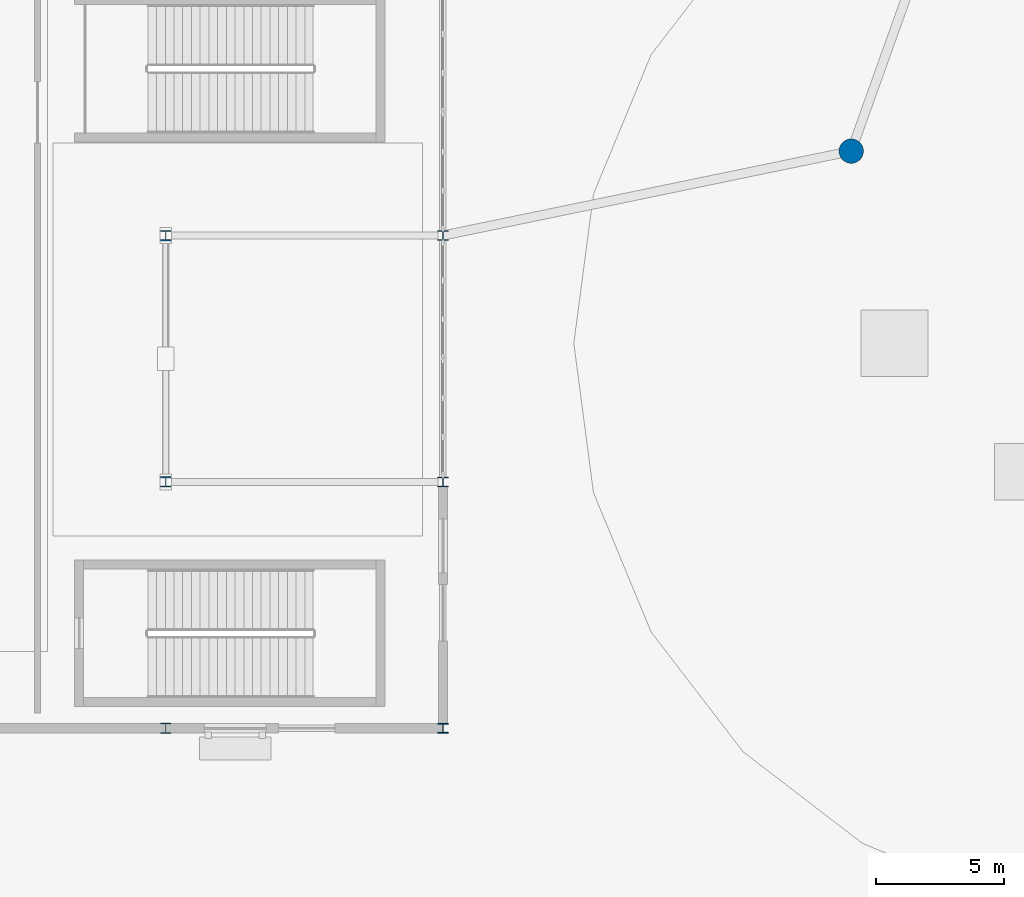
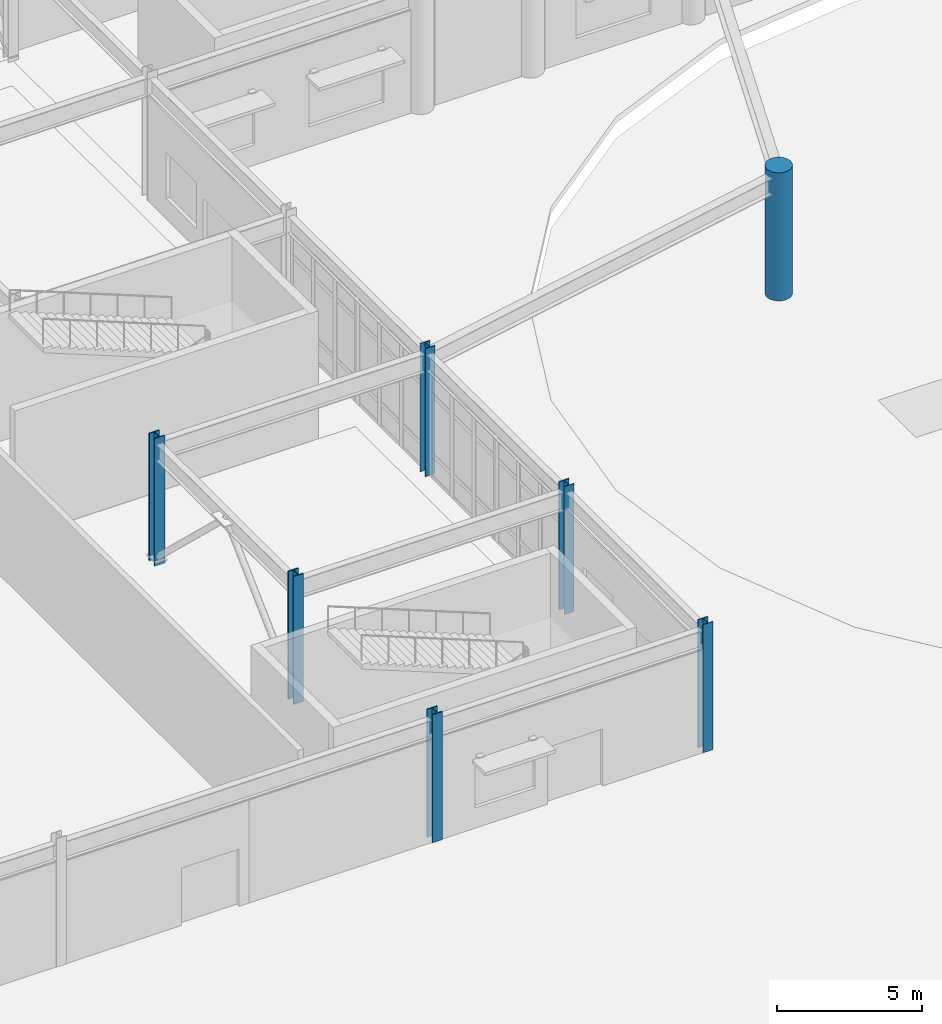
# One storey, part 4 of 54: 7 columns.
"""IFC4 building model written with IfcOpenShell, lengths in metres."""

from ifc_helpers import new_model, si_unit, direction, frame, origin, origin_2d, place, context, subcontext, project, spatial, circle, i_section, extrude, material, material_profile, profile_set, type_object, element, save


model = new_model("IFC4")

# Units and contexts
model_context = context("Model", 3, precision=1e-05, world=origin(), true_north=direction((0.0, 1.0)))
body_context = subcontext(model_context, "Body", "Model", "MODEL_VIEW")
ifc_project = project(units=[si_unit("LENGTHUNIT", "METRE"), si_unit("AREAUNIT", "SQUARE_METRE"), si_unit("VOLUMEUNIT", "CUBIC_METRE"), si_unit("PLANEANGLEUNIT", "RADIAN"), si_unit("MASSUNIT", "GRAM", prefix="KILO")], contexts=[model_context])

# Site, building, storey
site_placement = place(None, origin())
site = spatial("IfcSite", under=ifc_project, at=site_placement, CompositionType="ELEMENT")
building_placement = place(site_placement, origin())
building = spatial("IfcBuilding", under=site, at=building_placement, Name="Veldera Park Congress Hotel", CompositionType="ELEMENT")
storey_placement = place(building_placement, origin())
storey = spatial("IfcBuildingStorey", under=building, at=storey_placement, Name="L00", CompositionType="ELEMENT", Elevation=0.0)

# Columns
ifc_material_1 = material(Name="Concrete f'c 50 MPa (7,250 psi)", Category="concrete")
ifc_material_profile_1 = material_profile(ifc_material_1, circle(Radius=0.47509765625, at=origin_2d()), Name="RC D950")
ifc_profile_set_1 = profile_set([ifc_material_profile_1], Name="Concrete f'c 50 MPa (7,250 psi)")
column_type_1 = type_object("IfcColumnType", Name="COL-RCD90E", PredefinedType="COLUMN", material=ifc_profile_set_1)
column_1_placement = place(storey_placement, frame((14.309814453125, 1.489990234375, 0.0), z_axis=(0.0, 0.0, 1.0), x_axis=(1.0, 0.0, 0.0)))
element("IfcColumn", 1, at=column_1_placement, inside=storey, type_object=column_type_1, Name="L00 Column COL-RCD90E (14.3,1.5)", PredefinedType="COLUMN", context=body_context, shape_type="SweptSolid", body=[
    extrude(circle(Radius=0.47509765625, at=origin_2d()), origin(), (0.0, 0.0, 1.0), 5.39990234375),
])
ifc_material_2 = material(Name="Steel ASTM A992 Gr.50", Category="steel")
ifc_material_profile_2 = material_profile(ifc_material_2, i_section(OverallWidth=0.39599609375, OverallDepth=0.381103515625, WebThickness=0.018798828125, FlangeThickness=0.0302734375, at=origin_2d()), Name="W14X159")
ifc_profile_set_2 = profile_set([ifc_material_profile_2], Name="Steel ASTM A992 Gr.50")
column_type_2 = type_object("IfcColumnType", Name="COL-STL159", PredefinedType="COLUMN", material=ifc_profile_set_2)
for number, where, z_axis, x_axis, name in (
    (2, (-1.60009765625, -11.39990234375, 0.0), (0.0, 0.0, 1.0), (1.0, 0.0, 0.0), "L00 Column COL-STL159 (-1.6,-11.4)"),
    (3, (-1.60009765625, -1.800048828125, 0.0), (0.0, 0.0, 1.0), (1.0, 0.0, 0.0), "L00 Column COL-STL159 (-1.6,-1.8)"),
):
    element("IfcColumn", number, at=place(storey_placement, frame(where, z_axis=z_axis, x_axis=x_axis)), inside=storey, type_object=column_type_2, Name=name, PredefinedType="COLUMN", context=body_context, shape_type="SweptSolid", body=[
        extrude(i_section(OverallWidth=0.39599609375, OverallDepth=0.381103515625, WebThickness=0.018798828125, FlangeThickness=0.0302734375, at=origin_2d()), origin(), (0.0, 0.0, 1.0), 5.39990234375),
    ])
ifc_material_profile_3 = material_profile(ifc_material_2, i_section(OverallWidth=0.39599609375, OverallDepth=0.381103515625, WebThickness=0.018798828125, FlangeThickness=0.0302734375, at=origin_2d()), Name="W14X159")
ifc_profile_set_3 = profile_set([ifc_material_profile_3], Name="Steel ASTM A992 Gr.50")
column_type_3 = type_object("IfcColumnType", Name="COL-STL159E", PredefinedType="COLUMN", material=ifc_profile_set_3)
column_2_placement = place(storey_placement, frame((-1.60009765625, -21.0, 0.0), z_axis=(0.0, 0.0, 1.0), x_axis=(1.0, 0.0, 0.0)))
element("IfcColumn", 4, at=column_2_placement, inside=storey, type_object=column_type_3, Name="L00 Column COL-STL159E (-1.6,-21.0)", PredefinedType="COLUMN", context=body_context, shape_type="SweptSolid", body=[
    extrude(i_section(OverallWidth=0.39599609375, OverallDepth=0.381103515625, WebThickness=0.018798828125, FlangeThickness=0.0302734375, at=origin_2d()), origin(), (0.0, 0.0, 1.0), 5.39990234375),
])
ifc_material_profile_4 = material_profile(ifc_material_2, i_section(OverallWidth=0.404052734375, OverallDepth=0.406982421875, WebThickness=0.027099609375, FlangeThickness=0.043701171875, at=origin_2d()), Name="W14X233")
ifc_profile_set_4 = profile_set([ifc_material_profile_4], Name="Steel ASTM A992 Gr.50")
column_type_4 = type_object("IfcColumnType", Name="COL-STL233", PredefinedType="COLUMN", material=ifc_profile_set_4)
for number, where, z_axis, x_axis, name in (
    (5, (-12.39990234375, -11.39990234375, 0.0), (0.0, 0.0, 1.0), (1.0, 0.0, 0.0), "L00 Column COL-STL233 (-12.4,-11.4)"),
    (6, (-12.39990234375, -1.800048828125, 0.0), (0.0, 0.0, 1.0), (1.0, 0.0, 0.0), "L00 Column COL-STL233 (-12.4,-1.8)"),
):
    element("IfcColumn", number, at=place(storey_placement, frame(where, z_axis=z_axis, x_axis=x_axis)), inside=storey, type_object=column_type_4, Name=name, PredefinedType="COLUMN", context=body_context, shape_type="SweptSolid", body=[
        extrude(i_section(OverallWidth=0.404052734375, OverallDepth=0.406982421875, WebThickness=0.027099609375, FlangeThickness=0.043701171875, at=origin_2d()), origin(), (0.0, 0.0, 1.0), 5.39990234375),
    ])
ifc_material_profile_5 = material_profile(ifc_material_2, i_section(OverallWidth=0.406005859375, OverallDepth=0.416015625, WebThickness=0.02978515625, FlangeThickness=0.048095703125, at=origin_2d()), Name="W14X257")
ifc_profile_set_5 = profile_set([ifc_material_profile_5], Name="Steel ASTM A992 Gr.50")
column_type_5 = type_object("IfcColumnType", Name="COL-STL233E", PredefinedType="COLUMN", material=ifc_profile_set_5)
column_3_placement = place(storey_placement, frame((-12.39990234375, -21.0, 0.0), z_axis=(0.0, 0.0, 1.0), x_axis=(1.0, 0.0, 0.0)))
element("IfcColumn", 7, at=column_3_placement, inside=storey, type_object=column_type_5, Name="L00 Column COL-STL233E (-12.4,-21.0)", PredefinedType="COLUMN", context=body_context, shape_type="SweptSolid", body=[
    extrude(i_section(OverallWidth=0.406005859375, OverallDepth=0.416015625, WebThickness=0.02978515625, FlangeThickness=0.048095703125, at=origin_2d()), origin(), (0.0, 0.0, 1.0), 5.39990234375),
])

save(model, "model.ifc")
